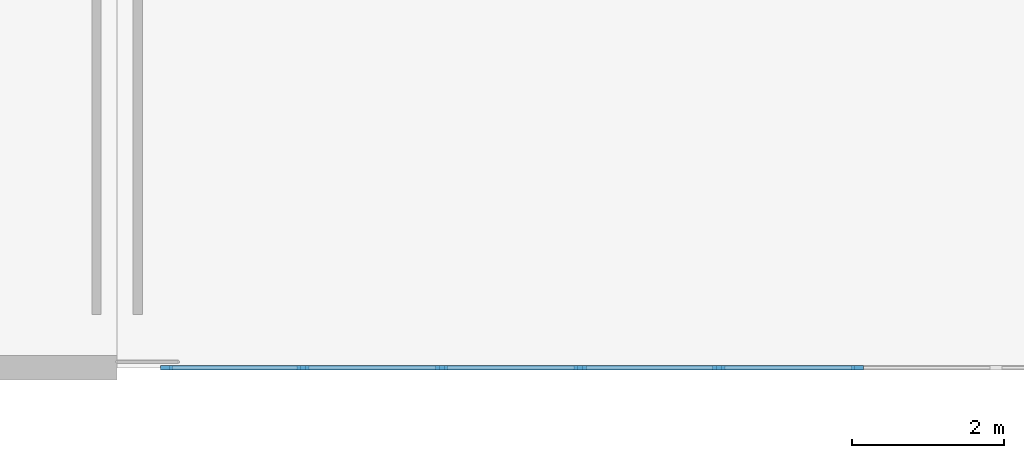
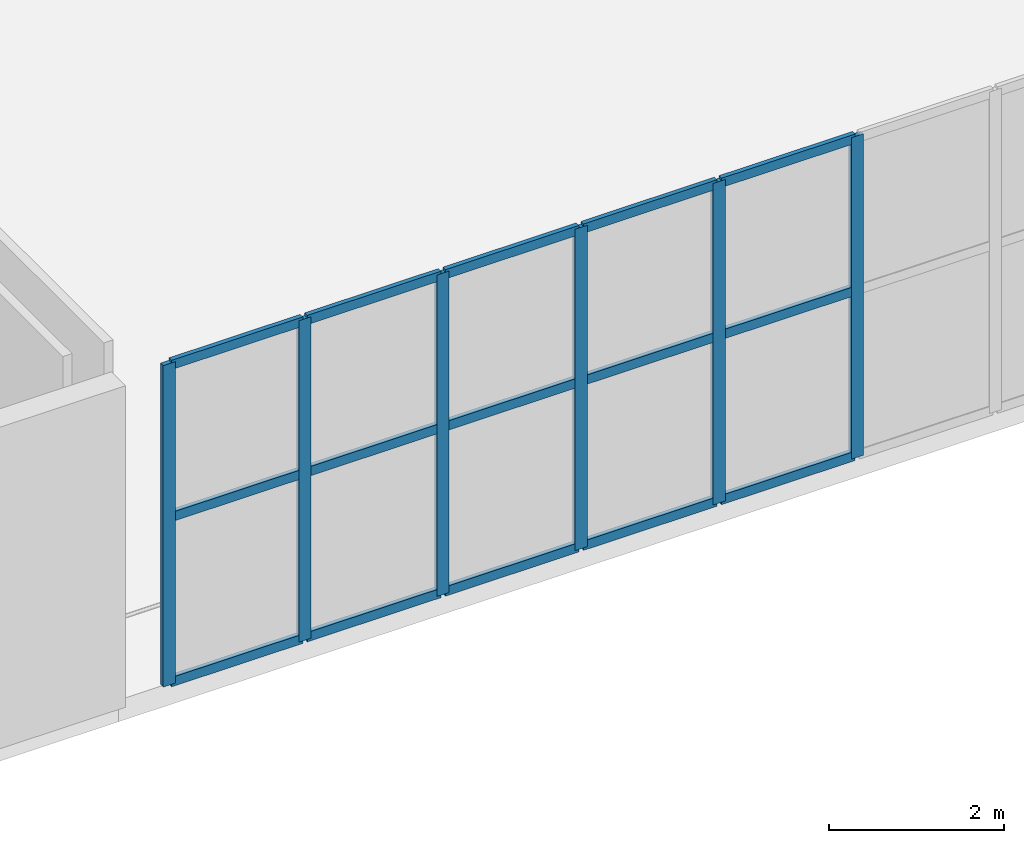
# One storey, part 26 of 142: 21 members, 1 element without a shape of its own.
"""IFC4 building model written with IfcOpenShell, lengths in metres."""

from ifc_helpers import new_model, si_unit, direction, frame, origin, origin_2d, place, context, subcontext, project, spatial, rectangle, extrude, material, material_profile, profile_set, type_object, element, aggregate, save


model = new_model("IFC4")

# Units and contexts
model_context = context("Model", 3, precision=1e-05, world=origin(), true_north=direction((0.0, 1.0)))
body_context = subcontext(model_context, "Body", "Model", "MODEL_VIEW")
ifc_project = project(units=[si_unit("LENGTHUNIT", "METRE"), si_unit("AREAUNIT", "SQUARE_METRE"), si_unit("VOLUMEUNIT", "CUBIC_METRE"), si_unit("PLANEANGLEUNIT", "RADIAN"), si_unit("MASSUNIT", "GRAM", prefix="KILO")], contexts=[model_context])

# Site, building, storey
site_placement = place(None, origin())
site = spatial("IfcSite", under=ifc_project, at=site_placement, CompositionType="ELEMENT")
building_placement = place(site_placement, origin())
building = spatial("IfcBuilding", under=site, at=building_placement, Name="Koshinbarg Plaza Stadium", CompositionType="ELEMENT")
storey_placement = place(building_placement, frame((0.0, 0.0, 10.199951171875)))
storey = spatial("IfcBuildingStorey", under=building, at=storey_placement, Name="L02", CompositionType="ELEMENT", Elevation=10.199951171875)

# Curtain wall, members
ifc_material_1 = material(Name="Thermally broken anodised aluminium and low-E double glazing", Category="aluminium")
curtain_wall_type = type_object("IfcCurtainWallType", Name="CW-SYS-02", PredefinedType="NOTDEFINED", material=ifc_material_1)
curtain_wall_placement = place(storey_placement, origin())
curtain_wall = element("IfcCurtainWall", 1, at=curtain_wall_placement, inside=storey, type_object=curtain_wall_type, Name="L02 unitised curtain wall CW-L02-065", PredefinedType="NOTDEFINED")
ifc_material_2 = material(Name="Anodised aluminium mullion", Category="aluminium")
ifc_material_profile_1 = material_profile(ifc_material_2, rectangle(XDim=0.06005859375, YDim=0.159912109375, at=origin_2d()), Name="ALU 60x160")
ifc_profile_set_1 = profile_set([ifc_material_profile_1], Name="Anodised aluminium mullion")
member_type_1 = type_object("IfcMemberType", Name="CW-MUL-02", PredefinedType="MULLION", material=ifc_profile_set_1)
member_1_placement = place(storey_placement, frame((131.719970703125, 0.0, 0.0), z_axis=(0.0, 0.0, 1.0), x_axis=(0.0, -1.0, 0.0)))
member_1 = element("IfcMember", 2, at=member_1_placement, type_object=member_type_1, Name="CW02 mullion 14", PredefinedType="MULLION", context=body_context, shape_type="SweptSolid", body=[
    extrude(rectangle(XDim=0.06005859375, YDim=0.159912109375, at=origin_2d()), origin(), (0.0, 0.0, 1.0), 4.47998046875),
])
member_2_placement = place(storey_placement, frame((129.89990234375, 0.0, 0.0), z_axis=(0.0, 0.0, 1.0), x_axis=(0.0, -1.0, 0.0)))
member_2 = element("IfcMember", 3, at=member_2_placement, type_object=member_type_1, Name="CW02 mullion 15", PredefinedType="MULLION", context=body_context, shape_type="SweptSolid", body=[
    extrude(rectangle(XDim=0.06005859375, YDim=0.159912109375, at=origin_2d()), origin(), (0.0, 0.0, 1.0), 4.47998046875),
])
member_3_placement = place(storey_placement, frame((128.080078125, 0.0, 0.0), z_axis=(0.0, 0.0, 1.0), x_axis=(0.0, -1.0, 0.0)))
member_3 = element("IfcMember", 4, at=member_3_placement, type_object=member_type_1, Name="CW02 mullion 16", PredefinedType="MULLION", context=body_context, shape_type="SweptSolid", body=[
    extrude(rectangle(XDim=0.06005859375, YDim=0.159912109375, at=origin_2d()), origin(), (0.0, 0.0, 1.0), 4.47998046875),
])
member_4_placement = place(storey_placement, frame((126.260009765625, 0.0, 0.0), z_axis=(0.0, 0.0, 1.0), x_axis=(0.0, -1.0, 0.0)))
member_4 = element("IfcMember", 5, at=member_4_placement, type_object=member_type_1, Name="CW02 mullion 17", PredefinedType="MULLION", context=body_context, shape_type="SweptSolid", body=[
    extrude(rectangle(XDim=0.06005859375, YDim=0.159912109375, at=origin_2d()), origin(), (0.0, 0.0, 1.0), 4.47998046875),
])
member_5_placement = place(storey_placement, frame((124.43994140625, 0.0, 0.0), z_axis=(0.0, 0.0, 1.0), x_axis=(0.0, -1.0, 0.0)))
member_5 = element("IfcMember", 6, at=member_5_placement, type_object=member_type_1, Name="CW02 mullion 18", PredefinedType="MULLION", context=body_context, shape_type="SweptSolid", body=[
    extrude(rectangle(XDim=0.06005859375, YDim=0.159912109375, at=origin_2d()), origin(), (0.0, 0.0, 1.0), 4.47998046875),
])
member_6_placement = place(storey_placement, frame((122.64990234375, 0.0, 0.0), z_axis=(0.0, 0.0, 1.0), x_axis=(0.0, -1.0, 0.0)))
member_6 = element("IfcMember", 7, at=member_6_placement, type_object=member_type_1, Name="CW02 mullion 19", PredefinedType="MULLION", context=body_context, shape_type="SweptSolid", body=[
    extrude(rectangle(XDim=0.06005859375, YDim=0.159912109375, at=origin_2d()), origin(), (0.0, 0.0, 1.0), 4.47998046875),
])
ifc_material_3 = material(Name="Anodised aluminium transom", Category="aluminium")
ifc_material_profile_2 = material_profile(ifc_material_3, rectangle(XDim=0.06005859375, YDim=0.1298828125, at=origin_2d()), Name="ALU 60x130")
ifc_profile_set_2 = profile_set([ifc_material_profile_2], Name="Anodised aluminium transom")
member_type_2 = type_object("IfcMemberType", Name="CW-TRN-02", PredefinedType="USERDEFINED", material=ifc_profile_set_2)
member_7_placement = place(storey_placement, frame((131.68994140625, 0.0, 0.030029296875), z_axis=(-1.0, 0.0, 0.0), x_axis=(0.0, -1.0, 0.0)))
member_7 = element("IfcMember", 8, at=member_7_placement, type_object=member_type_2, Name="CW02 transom 14.1", ObjectType="TRANSOM", PredefinedType="USERDEFINED", context=body_context, shape_type="SweptSolid", body=[
    extrude(rectangle(XDim=0.06005859375, YDim=0.1298828125, at=origin_2d()), origin(), (0.0, 0.0, 1.0), 1.760009765625),
])
member_8_placement = place(storey_placement, frame((131.68994140625, 0.0, 2.32958984375), z_axis=(-1.0, 0.0, 0.0), x_axis=(0.0, -1.0, 0.0)))
member_8 = element("IfcMember", 9, at=member_8_placement, type_object=member_type_2, Name="CW02 transom 14.2", ObjectType="TRANSOM", PredefinedType="USERDEFINED", context=body_context, shape_type="SweptSolid", body=[
    extrude(rectangle(XDim=0.06005859375, YDim=0.1298828125, at=origin_2d()), origin(), (0.0, 0.0, 1.0), 1.760009765625),
])
member_9_placement = place(storey_placement, frame((131.68994140625, 0.0, 4.449951171875), z_axis=(-1.0, 0.0, 0.0), x_axis=(0.0, -1.0, 0.0)))
member_9 = element("IfcMember", 10, at=member_9_placement, type_object=member_type_2, Name="CW02 transom 14.3", ObjectType="TRANSOM", PredefinedType="USERDEFINED", context=body_context, shape_type="SweptSolid", body=[
    extrude(rectangle(XDim=0.06005859375, YDim=0.1298828125, at=origin_2d()), origin(), (0.0, 0.0, 1.0), 1.760009765625),
])
member_10_placement = place(storey_placement, frame((129.8701171875, 0.0, 0.030029296875), z_axis=(-1.0, 0.0, 0.0), x_axis=(0.0, -1.0, 0.0)))
member_10 = element("IfcMember", 11, at=member_10_placement, type_object=member_type_2, Name="CW02 transom 15.1", ObjectType="TRANSOM", PredefinedType="USERDEFINED", context=body_context, shape_type="SweptSolid", body=[
    extrude(rectangle(XDim=0.06005859375, YDim=0.1298828125, at=origin_2d()), origin(), (0.0, 0.0, 1.0), 1.760009765625),
])
member_11_placement = place(storey_placement, frame((129.8701171875, 0.0, 2.32958984375), z_axis=(-1.0, 0.0, 0.0), x_axis=(0.0, -1.0, 0.0)))
member_11 = element("IfcMember", 12, at=member_11_placement, type_object=member_type_2, Name="CW02 transom 15.2", ObjectType="TRANSOM", PredefinedType="USERDEFINED", context=body_context, shape_type="SweptSolid", body=[
    extrude(rectangle(XDim=0.06005859375, YDim=0.1298828125, at=origin_2d()), origin(), (0.0, 0.0, 1.0), 1.760009765625),
])
member_12_placement = place(storey_placement, frame((129.8701171875, 0.0, 4.449951171875), z_axis=(-1.0, 0.0, 0.0), x_axis=(0.0, -1.0, 0.0)))
member_12 = element("IfcMember", 13, at=member_12_placement, type_object=member_type_2, Name="CW02 transom 15.3", ObjectType="TRANSOM", PredefinedType="USERDEFINED", context=body_context, shape_type="SweptSolid", body=[
    extrude(rectangle(XDim=0.06005859375, YDim=0.1298828125, at=origin_2d()), origin(), (0.0, 0.0, 1.0), 1.760009765625),
])
member_13_placement = place(storey_placement, frame((128.050048828125, 0.0, 0.030029296875), z_axis=(-1.0, 0.0, 0.0), x_axis=(0.0, -1.0, 0.0)))
member_13 = element("IfcMember", 14, at=member_13_placement, type_object=member_type_2, Name="CW02 transom 16.1", ObjectType="TRANSOM", PredefinedType="USERDEFINED", context=body_context, shape_type="SweptSolid", body=[
    extrude(rectangle(XDim=0.06005859375, YDim=0.1298828125, at=origin_2d()), origin(), (0.0, 0.0, 1.0), 1.760009765625),
])
member_14_placement = place(storey_placement, frame((128.050048828125, 0.0, 2.32958984375), z_axis=(-1.0, 0.0, 0.0), x_axis=(0.0, -1.0, 0.0)))
member_14 = element("IfcMember", 15, at=member_14_placement, type_object=member_type_2, Name="CW02 transom 16.2", ObjectType="TRANSOM", PredefinedType="USERDEFINED", context=body_context, shape_type="SweptSolid", body=[
    extrude(rectangle(XDim=0.06005859375, YDim=0.1298828125, at=origin_2d()), origin(), (0.0, 0.0, 1.0), 1.760009765625),
])
member_15_placement = place(storey_placement, frame((128.050048828125, 0.0, 4.449951171875), z_axis=(-1.0, 0.0, 0.0), x_axis=(0.0, -1.0, 0.0)))
member_15 = element("IfcMember", 16, at=member_15_placement, type_object=member_type_2, Name="CW02 transom 16.3", ObjectType="TRANSOM", PredefinedType="USERDEFINED", context=body_context, shape_type="SweptSolid", body=[
    extrude(rectangle(XDim=0.06005859375, YDim=0.1298828125, at=origin_2d()), origin(), (0.0, 0.0, 1.0), 1.760009765625),
])
member_16_placement = place(storey_placement, frame((126.22998046875, 0.0, 0.030029296875), z_axis=(-1.0, 0.0, 0.0), x_axis=(0.0, -1.0, 0.0)))
member_16 = element("IfcMember", 17, at=member_16_placement, type_object=member_type_2, Name="CW02 transom 17.1", ObjectType="TRANSOM", PredefinedType="USERDEFINED", context=body_context, shape_type="SweptSolid", body=[
    extrude(rectangle(XDim=0.06005859375, YDim=0.1298828125, at=origin_2d()), origin(), (0.0, 0.0, 1.0), 1.760009765625),
])
member_17_placement = place(storey_placement, frame((126.22998046875, 0.0, 2.32958984375), z_axis=(-1.0, 0.0, 0.0), x_axis=(0.0, -1.0, 0.0)))
member_17 = element("IfcMember", 18, at=member_17_placement, type_object=member_type_2, Name="CW02 transom 17.2", ObjectType="TRANSOM", PredefinedType="USERDEFINED", context=body_context, shape_type="SweptSolid", body=[
    extrude(rectangle(XDim=0.06005859375, YDim=0.1298828125, at=origin_2d()), origin(), (0.0, 0.0, 1.0), 1.760009765625),
])
member_18_placement = place(storey_placement, frame((126.22998046875, 0.0, 4.449951171875), z_axis=(-1.0, 0.0, 0.0), x_axis=(0.0, -1.0, 0.0)))
member_18 = element("IfcMember", 19, at=member_18_placement, type_object=member_type_2, Name="CW02 transom 17.3", ObjectType="TRANSOM", PredefinedType="USERDEFINED", context=body_context, shape_type="SweptSolid", body=[
    extrude(rectangle(XDim=0.06005859375, YDim=0.1298828125, at=origin_2d()), origin(), (0.0, 0.0, 1.0), 1.760009765625),
])
member_19_placement = place(storey_placement, frame((124.409912109375, 0.0, 0.030029296875), z_axis=(-1.0, 0.0, 0.0), x_axis=(0.0, -1.0, 0.0)))
member_19 = element("IfcMember", 20, at=member_19_placement, type_object=member_type_2, Name="CW02 transom 18.1", ObjectType="TRANSOM", PredefinedType="USERDEFINED", context=body_context, shape_type="SweptSolid", body=[
    extrude(rectangle(XDim=0.06005859375, YDim=0.1298828125, at=origin_2d()), origin(), (0.0, 0.0, 1.0), 1.72998046875),
])
member_20_placement = place(storey_placement, frame((124.409912109375, 0.0, 2.32958984375), z_axis=(-1.0, 0.0, 0.0), x_axis=(0.0, -1.0, 0.0)))
member_20 = element("IfcMember", 21, at=member_20_placement, type_object=member_type_2, Name="CW02 transom 18.2", ObjectType="TRANSOM", PredefinedType="USERDEFINED", context=body_context, shape_type="SweptSolid", body=[
    extrude(rectangle(XDim=0.06005859375, YDim=0.1298828125, at=origin_2d()), origin(), (0.0, 0.0, 1.0), 1.72998046875),
])
member_21_placement = place(storey_placement, frame((124.409912109375, 0.0, 4.449951171875), z_axis=(-1.0, 0.0, 0.0), x_axis=(0.0, -1.0, 0.0)))
member_21 = element("IfcMember", 22, at=member_21_placement, type_object=member_type_2, Name="CW02 transom 18.3", ObjectType="TRANSOM", PredefinedType="USERDEFINED", context=body_context, shape_type="SweptSolid", body=[
    extrude(rectangle(XDim=0.06005859375, YDim=0.1298828125, at=origin_2d()), origin(), (0.0, 0.0, 1.0), 1.72998046875),
])
aggregate(curtain_wall, [member_1, member_2, member_3, member_4, member_5, member_6, member_7, member_8, member_9, member_10, member_11, member_12, member_13, member_14, member_15, member_16, member_17, member_18, member_19, member_20, member_21])

save(model, "model.ifc")
